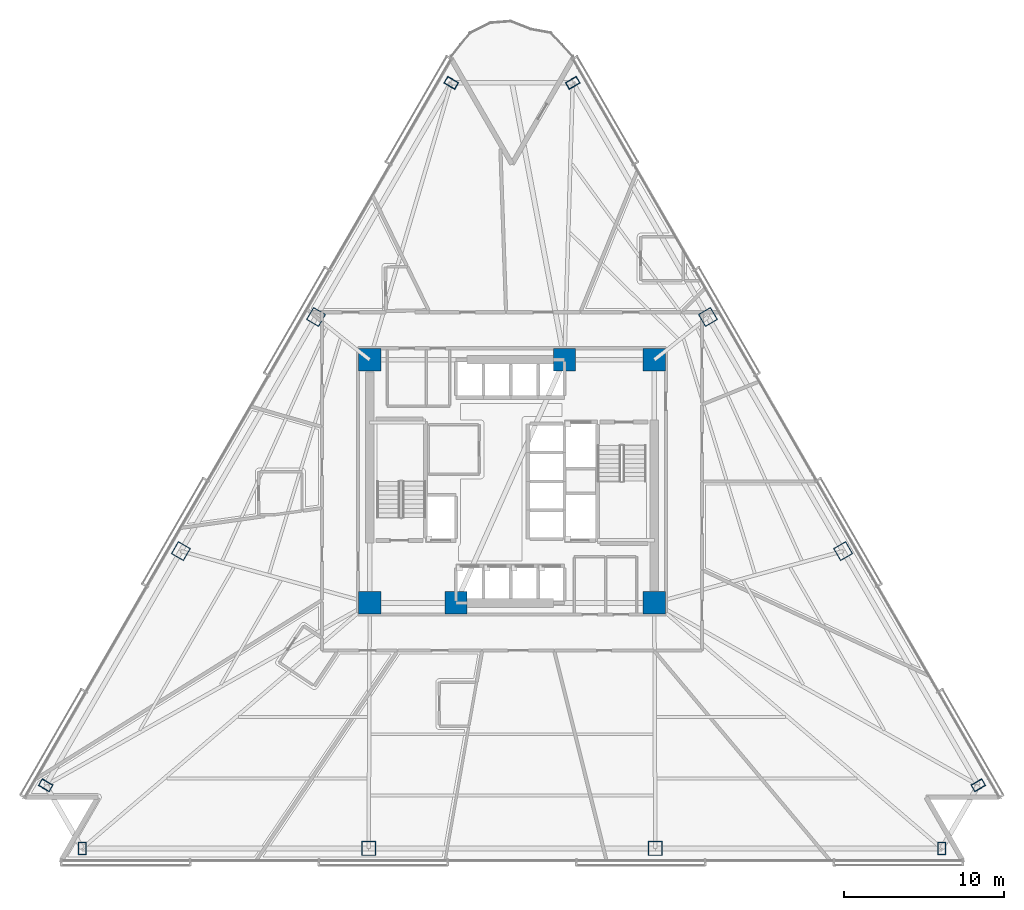
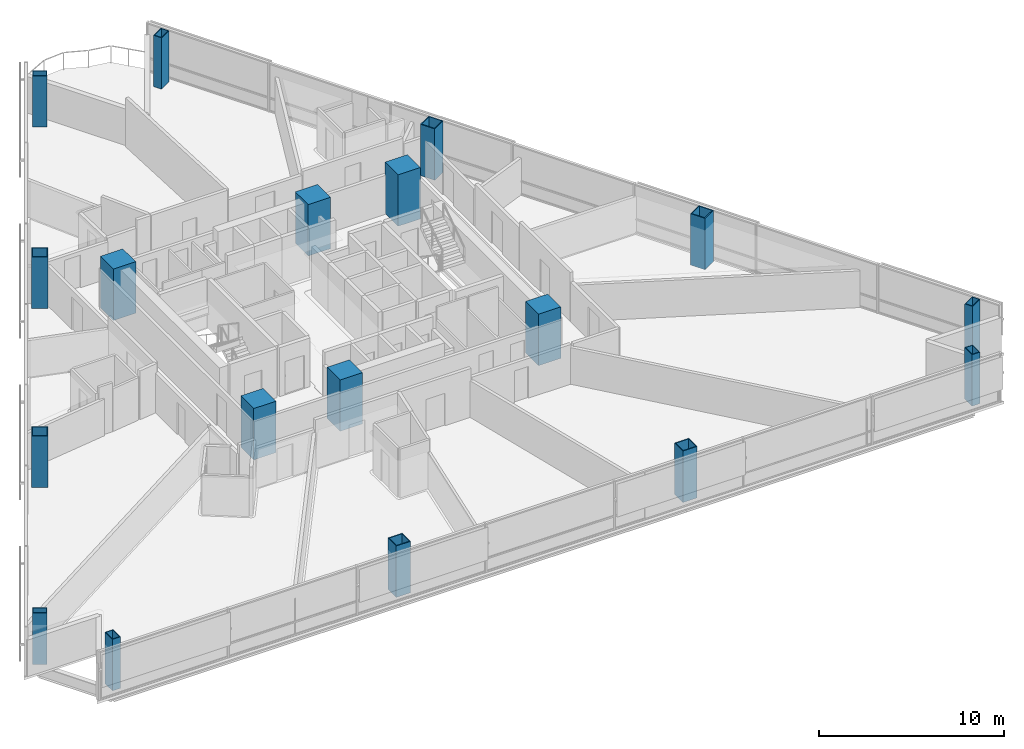
# One storey, part 1 of 16: 18 columns.
"""IFC4 building model written with IfcOpenShell, lengths in metres."""

from ifc_helpers import new_model, si_unit, direction, frame, origin, origin_2d, place, context, subcontext, project, spatial, rectangle, hollow_rectangle, extrude, material, material_profile, profile_set, type_object, element, save


model = new_model("IFC4")

# Units and contexts
model_context = context("Model", 3, precision=1e-05, world=origin(), true_north=direction((0.0, 1.0)))
body_context = subcontext(model_context, "Body", "Model", "MODEL_VIEW")
ifc_project = project(units=[si_unit("LENGTHUNIT", "METRE"), si_unit("AREAUNIT", "SQUARE_METRE"), si_unit("VOLUMEUNIT", "CUBIC_METRE"), si_unit("PLANEANGLEUNIT", "RADIAN"), si_unit("MASSUNIT", "GRAM", prefix="KILO")], contexts=[model_context])

# Site, building, storey
site_placement = place(None, origin())
site = spatial("IfcSite", under=ifc_project, at=site_placement, CompositionType="ELEMENT")
building_placement = place(site_placement, origin())
building = spatial("IfcBuilding", under=site, at=building_placement, Name="Tharavind Bronze Gate", CompositionType="ELEMENT")
storey_placement = place(building_placement, frame((0.0, 0.0, 42.050048828125)))
storey = spatial("IfcBuildingStorey", under=building, at=storey_placement, Name="L09", CompositionType="ELEMENT", Elevation=42.050048828125)

# Columns
ifc_material_1 = material(Name="Steel S460", Category="steel")
ifc_material_profile_1 = material_profile(ifc_material_1, hollow_rectangle(XDim=0.5, YDim=0.800048828125, WallThickness=0.0400390625, at=origin_2d()), Name="RHS800X500X40")
ifc_profile_set_1 = profile_set([ifc_material_profile_1], Name="Steel S460")
column_type_1 = type_object("IfcColumnType", Name="CORNER NOTCH COLUMN RHS800X500", PredefinedType="COLUMN", material=ifc_profile_set_1)
for number, where, z_axis, x_axis, name in (
    (1, (-3.800048828125, 24.918212890625, 0.0), (0.0, 0.0, 1.0), (0.500001511499, 0.866024531118, 0.0), "L09 perimeter column S1C1"),
    (2, (-29.15673828125, -19.0009765625, 0.0), (0.0, 0.0, 1.0), (0.500001511499, 0.866024531118, 0.0), "L09 perimeter column S1C4"),
    (3, (-26.876708984375, -22.949951171875, 0.0), (0.0, 0.0, 1.0), (1.0, 0.0, 0.0), "L09 perimeter column S2C1"),
    (4, (26.876708984375, -22.949951171875, 0.0), (0.0, 0.0, 1.0), (1.0, 0.0, 0.0), "L09 perimeter column S2C4"),
    (5, (29.15673828125, -19.0009765625, 0.0), (0.0, 0.0, 1.0), (-0.500001511499, 0.866024531118, 0.0), "L09 perimeter column S3C1"),
    (6, (3.800048828125, 24.918212890625, 0.0), (0.0, 0.0, 1.0), (-0.500001511499, 0.866024531118, 0.0), "L09 perimeter column S3C4"),
):
    element("IfcColumn", number, at=place(storey_placement, frame(where, z_axis=z_axis, x_axis=x_axis)), inside=storey, type_object=column_type_1, Name=name, PredefinedType="COLUMN", context=body_context, shape_type="SweptSolid", body=[
        extrude(hollow_rectangle(XDim=0.5, YDim=0.800048828125, WallThickness=0.0400390625, at=origin_2d()), origin(), (0.0, 0.0, 1.0), 3.39990234375),
    ])
ifc_material_2 = material(Name="Concrete C70/85", Category="concrete")
ifc_material_profile_2 = material_profile(ifc_material_2, rectangle(XDim=1.39990234375, YDim=1.39990234375, at=origin_2d()), Name="RCCOL1400")
ifc_profile_set_2 = profile_set([ifc_material_profile_2], Name="Concrete C70/85")
column_type_2 = type_object("IfcColumnType", Name="MEGA CORE COLUMN 1400", PredefinedType="COLUMN", material=ifc_profile_set_2)
for number, where, z_axis, x_axis, name in (
    (7, (-8.89990234375, -7.60009765625, 0.0), (0.0, 0.0, 1.0), (1.0, 0.0, 0.0), "L09 core mega column MC1"),
    (8, (-3.5, -7.60009765625, 0.0), (0.0, 0.0, 1.0), (1.0, 0.0, 0.0), "L09 core mega column MC2"),
    (9, (8.89990234375, -7.60009765625, 0.0), (0.0, 0.0, 1.0), (1.0, 0.0, 0.0), "L09 core mega column MC3"),
    (10, (8.89990234375, 7.60009765625, 0.0), (0.0, 0.0, 1.0), (1.0, 0.0, 0.0), "L09 core mega column MC4"),
    (11, (3.280029296875, 7.60009765625, 0.0), (0.0, 0.0, 1.0), (1.0, 0.0, 0.0), "L09 core mega column MC5"),
    (12, (-8.89990234375, 7.60009765625, 0.0), (0.0, 0.0, 1.0), (1.0, 0.0, 0.0), "L09 core mega column MC6"),
):
    element("IfcColumn", number, at=place(storey_placement, frame(where, z_axis=z_axis, x_axis=x_axis)), inside=storey, type_object=column_type_2, Name=name, PredefinedType="COLUMN", context=body_context, shape_type="SweptSolid", body=[
        extrude(rectangle(XDim=1.39990234375, YDim=1.39990234375, at=origin_2d()), origin(), (0.0, 0.0, 1.0), 3.39990234375),
    ])
ifc_material_profile_3 = material_profile(ifc_material_1, hollow_rectangle(XDim=0.89990234375, YDim=0.89990234375, WallThickness=0.050048828125, at=origin_2d()), Name="SHS900X50")
ifc_profile_set_3 = profile_set([ifc_material_profile_3], Name="Steel S460")
column_type_3 = type_object("IfcColumnType", Name="PERIMETER BOX COLUMN SHS900", PredefinedType="COLUMN", material=ifc_profile_set_3)
for number, where, z_axis, x_axis, name in (
    (13, (-12.252197265625, 10.278564453125, 0.0), (0.0, 0.0, 1.0), (0.500001511499, 0.866024531118, 0.0), "L09 perimeter column S1C2"),
    (14, (-20.70458984375, -4.361083984375, 0.0), (0.0, 0.0, 1.0), (0.500001511499, 0.866024531118, 0.0), "L09 perimeter column S1C3"),
    (15, (-8.958984375, -22.949951171875, 0.0), (0.0, 0.0, 1.0), (1.0, 0.0, 0.0), "L09 perimeter column S2C2"),
    (16, (8.958984375, -22.949951171875, 0.0), (0.0, 0.0, 1.0), (1.0, 0.0, 0.0), "L09 perimeter column S2C3"),
    (17, (20.70458984375, -4.361083984375, 0.0), (0.0, 0.0, 1.0), (-0.500001511499, 0.866024531118, 0.0), "L09 perimeter column S3C2"),
    (18, (12.252197265625, 10.278564453125, 0.0), (0.0, 0.0, 1.0), (-0.500001511499, 0.866024531118, 0.0), "L09 perimeter column S3C3"),
):
    element("IfcColumn", number, at=place(storey_placement, frame(where, z_axis=z_axis, x_axis=x_axis)), inside=storey, type_object=column_type_3, Name=name, PredefinedType="COLUMN", context=body_context, shape_type="SweptSolid", body=[
        extrude(hollow_rectangle(XDim=0.89990234375, YDim=0.89990234375, WallThickness=0.050048828125, at=origin_2d()), origin(), (0.0, 0.0, 1.0), 3.39990234375),
    ])

save(model, "model.ifc")
